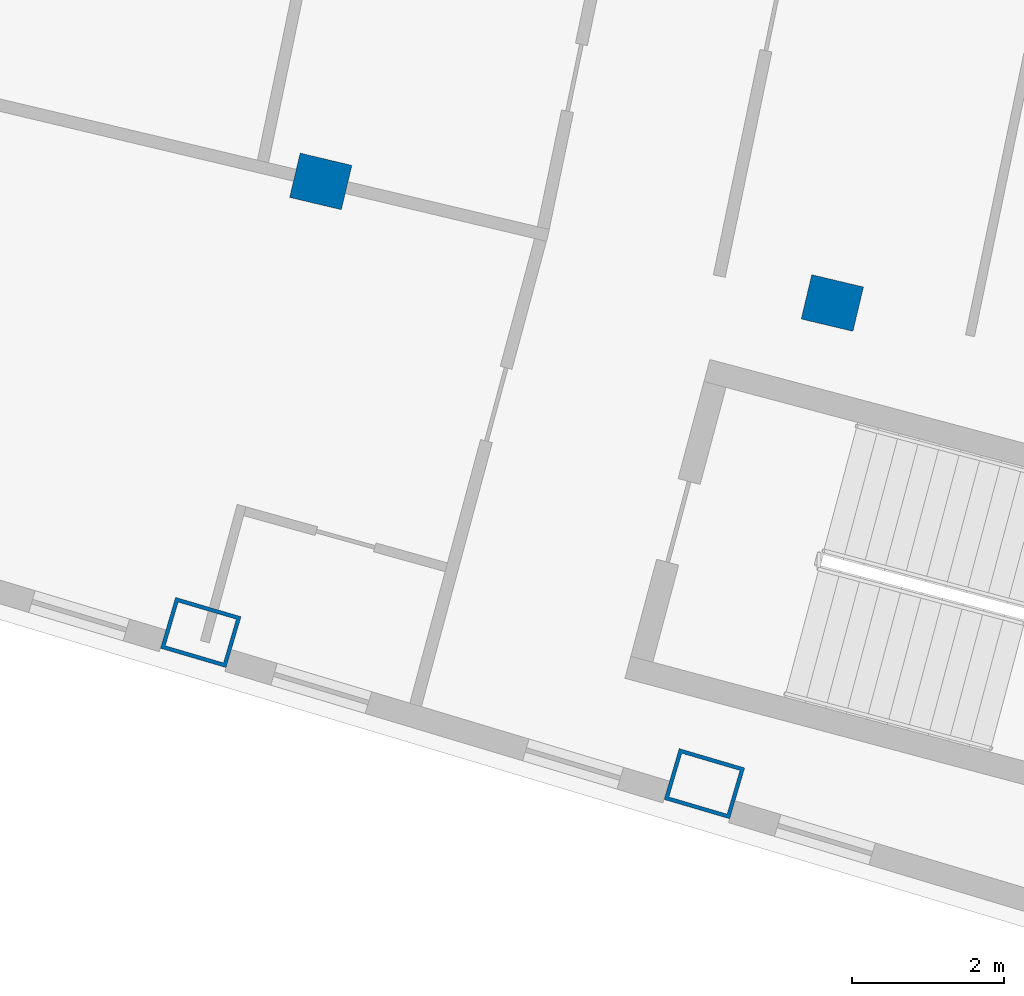
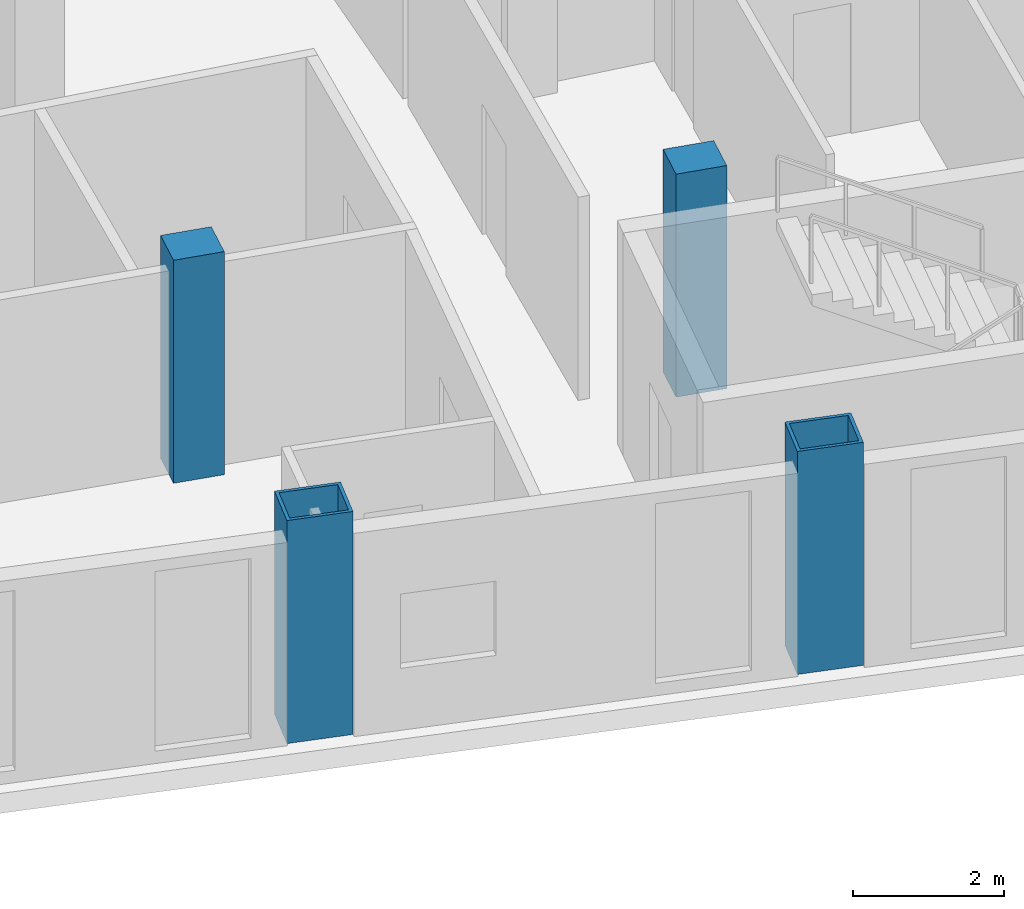
# One storey, part 2 of 20: 4 columns.
"""IFC4 building model written with IfcOpenShell, lengths in metres."""

from ifc_helpers import new_model, si_unit, direction, frame, origin, origin_2d, place, context, subcontext, project, spatial, rectangle, hollow_rectangle, extrude, material, material_profile, profile_set, type_object, element, save


model = new_model("IFC4")

# Units and contexts
model_context = context("Model", 3, precision=1e-05, world=origin(), true_north=direction((0.0, 1.0)))
body_context = subcontext(model_context, "Body", "Model", "MODEL_VIEW")
ifc_project = project(units=[si_unit("LENGTHUNIT", "METRE"), si_unit("AREAUNIT", "SQUARE_METRE"), si_unit("VOLUMEUNIT", "CUBIC_METRE"), si_unit("PLANEANGLEUNIT", "RADIAN"), si_unit("MASSUNIT", "GRAM", prefix="KILO")], contexts=[model_context])

# Site, building, storey
site_placement = place(None, origin())
site = spatial("IfcSite", under=ifc_project, at=site_placement, CompositionType="ELEMENT")
building_placement = place(site_placement, origin())
building = spatial("IfcBuilding", under=site, at=building_placement, Name="Alderwake Tower", CompositionType="ELEMENT")
storey_placement = place(building_placement, frame((0.0, 0.0, 263.60009765625)))
storey = spatial("IfcBuildingStorey", under=building, at=storey_placement, Name="L65", CompositionType="ELEMENT", Elevation=263.60009765625)

# Columns
ifc_material_1 = material(Name="Steel ASTM A572 Grade 50 concrete filled C70/85", Category="concrete")
ifc_material_profile_1 = material_profile(ifc_material_1, hollow_rectangle(XDim=0.699951171875, YDim=0.89990234375, WallThickness=0.050048828125, at=origin_2d()), Name="BOX 900X700X50")
ifc_profile_set_1 = profile_set([ifc_material_profile_1], Name="Steel ASTM A572 Grade 50 concrete filled C70/85")
column_type_1 = type_object("IfcColumnType", Name="End column Z5", PredefinedType="COLUMN", material=ifc_profile_set_1)
for number, where, z_axis, x_axis, name in (
    (1, (31.080322265625, 28.27685546875, 0.0), (0.0, 0.0, 1.0), (0.282582549822, 0.959242984095, 0.0), "Column R02-C2"),
    (2, (37.720947265625, 26.283203125, 0.0), (0.0, 0.0, 1.0), (0.282862128353, 0.959160579019, 0.0), "Column R02-C3"),
):
    element("IfcColumn", number, at=place(storey_placement, frame(where, z_axis=z_axis, x_axis=x_axis)), inside=storey, type_object=column_type_1, Name=name, PredefinedType="COLUMN", context=body_context, shape_type="SweptSolid", body=[
        extrude(hollow_rectangle(XDim=0.699951171875, YDim=0.89990234375, WallThickness=0.050048828125, at=origin_2d()), origin(), (0.0, 0.0, 1.0), 3.599853515625),
    ])
ifc_material_2 = material(Name="Concrete C70/85", Category="concrete")
ifc_material_profile_2 = material_profile(ifc_material_2, rectangle(XDim=0.60009765625, YDim=0.699951171875, at=origin_2d()), Name="RC 700X600")
ifc_profile_set_2 = profile_set([ifc_material_profile_2], Name="Concrete C70/85")
column_type_2 = type_object("IfcColumnType", Name="Interior column Z5", PredefinedType="COLUMN", material=ifc_profile_set_2)
for number, where, z_axis, x_axis, name in (
    (3, (32.661865234375, 34.224609375, 0.0), (0.0, 0.0, 1.0), (0.231221547198, 0.972901123502, 0.0), "Column R03-C2"),
    (4, (39.407470703125, 32.621337890625, 0.0), (0.0, 0.0, 1.0), (0.231221547198, 0.972901123502, 0.0), "Column R03-C3"),
):
    element("IfcColumn", number, at=place(storey_placement, frame(where, z_axis=z_axis, x_axis=x_axis)), inside=storey, type_object=column_type_2, Name=name, PredefinedType="COLUMN", context=body_context, shape_type="SweptSolid", body=[
        extrude(rectangle(XDim=0.60009765625, YDim=0.699951171875, at=origin_2d()), origin(), (0.0, 0.0, 1.0), 3.599853515625),
    ])

save(model, "model.ifc")
